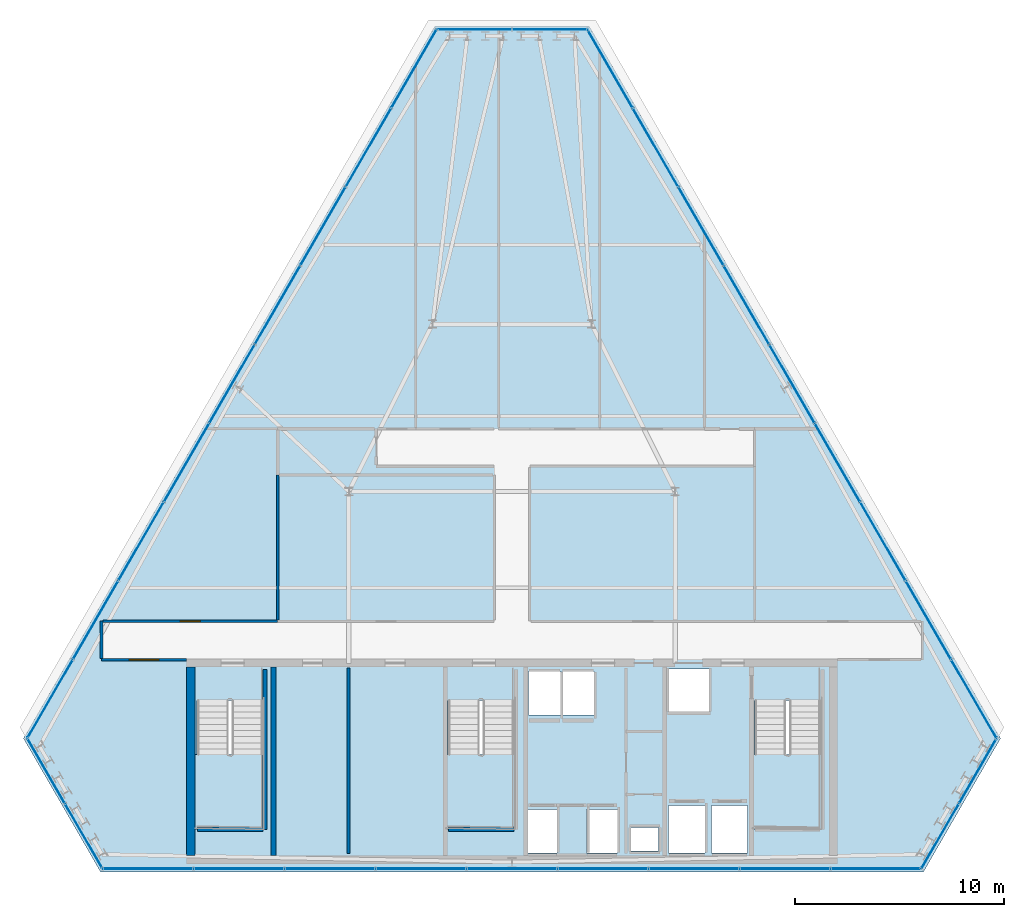
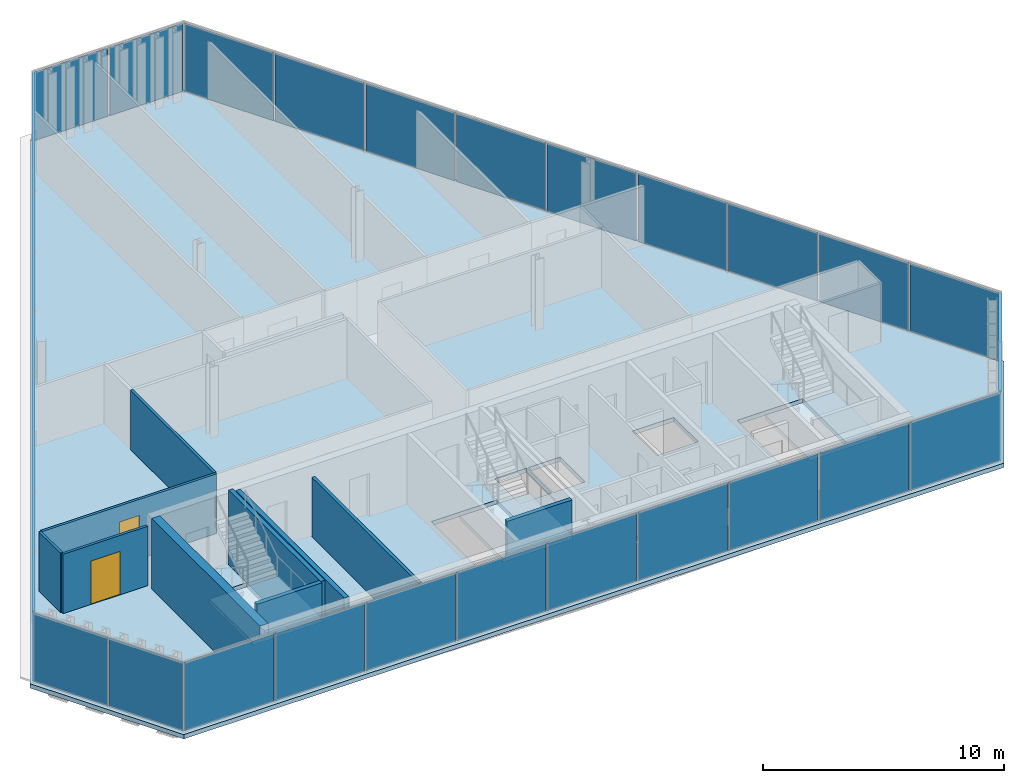
# One storey, part 23 of 29: 33 plates, 10 walls, 4 slabs, 2 doors, 2 openings, 9 elements without a shape of their own.
"""IFC4 building model written with IfcOpenShell, lengths in metres."""

from ifc_helpers import new_model, si_unit, direction, frame, frame_2d, origin, origin_2d, place, context, subcontext, project, spatial, polyline, rectangle, outline, extrude, material, layer, layer_set, type_object, element, fill, aggregate, save


model = new_model("IFC4")

# Units and contexts
model_context = context("Model", 3, precision=1e-05, world=origin(), true_north=direction((0.0, 1.0)))
body_context = subcontext(model_context, "Body", "Model", "MODEL_VIEW")
ifc_project = project(units=[si_unit("LENGTHUNIT", "METRE"), si_unit("AREAUNIT", "SQUARE_METRE"), si_unit("VOLUMEUNIT", "CUBIC_METRE"), si_unit("PLANEANGLEUNIT", "RADIAN"), si_unit("MASSUNIT", "GRAM", prefix="KILO")], contexts=[model_context])

# Site, building, storey
site_placement = place(None, origin())
site = spatial("IfcSite", under=ifc_project, at=site_placement, CompositionType="ELEMENT")
building_placement = place(site_placement, origin())
building = spatial("IfcBuilding", under=site, at=building_placement, Name="Ndaravel Arena Tower", CompositionType="ELEMENT")
storey_placement = place(building_placement, frame((0.0, 0.0, 229.39990234375)))
storey = spatial("IfcBuildingStorey", under=building, at=storey_placement, Name="L55", CompositionType="ELEMENT", Elevation=229.39990234375)

# Curtain wall, plate
ifc_material_1 = material(Name="Aluminium", Category="aluminium")
ifc_layer_1 = layer(ifc_material_1, 0.179931640625)
ifc_layer_set_1 = layer_set([ifc_layer_1], Name="Aluminium")
curtain_wall_type_1 = type_object("IfcCurtainWallType", Name="CW-SYS-01", PredefinedType="NOTDEFINED", material=ifc_layer_set_1)
curtain_wall_1_placement = place(storey_placement, origin())
curtain_wall_1 = element("IfcCurtainWall", 1, at=curtain_wall_1_placement, inside=storey, type_object=curtain_wall_type_1, Name="L55 Faceted Crystal Curtain Wall CW-L55-E02", PredefinedType="NOTDEFINED")
ifc_material_2 = material(Name="Glazing", Category="glass")
ifc_layer_2 = layer(ifc_material_2, 0.035888671875)
ifc_layer_set_2 = layer_set([ifc_layer_2], Name="Glazing")
plate_type_1 = type_object("IfcPlateType", Name="PLT-CW-OPVENT", PredefinedType="CURTAIN_PANEL", material=ifc_layer_set_2)
plate_1_placement = place(storey_placement, frame((64.268310546875, 9.836181640625, 0.06005859375), z_axis=(0.0, 0.0, 1.0), x_axis=(0.499984884929, 0.866034130299, 0.0)))
plate_1 = element("IfcPlate", 2, at=plate_1_placement, type_object=plate_type_1, Name="CW-L55-E02 Operable Vent Sash Panel 02", PredefinedType="CURTAIN_PANEL", context=body_context, shape_type="SweptSolid", body=[
    extrude(rectangle(XDim=3.519775390625, YDim=0.035888671875, at=origin_2d()), origin(), (0.0, 0.0, 1.0), 3.4599609375),
])

curtain_wall_2_placement = place(storey_placement, origin())
curtain_wall_2 = element("IfcCurtainWall", 3, at=curtain_wall_2_placement, inside=storey, type_object=curtain_wall_type_1, Name="L55 Faceted Crystal Curtain Wall CW-L55-E04", PredefinedType="NOTDEFINED")
plate_2_placement = place(storey_placement, frame((40.2001953125, 45.288818359375, 0.06005859375), z_axis=(0.0, 0.0, 1.0), x_axis=(-1.0, 0.0, 0.0)))
plate_2 = element("IfcPlate", 4, at=plate_2_placement, type_object=plate_type_1, Name="CW-L55-E04 Operable Vent Sash Panel 02", PredefinedType="CURTAIN_PANEL", context=body_context, shape_type="SweptSolid", body=[
    extrude(rectangle(XDim=3.519775390625, YDim=0.035888671875, at=origin_2d()), origin(), (0.0, 0.0, 1.0), 3.4599609375),
])

ifc_material_3 = material(Name="Aluminium", Category="aluminium")
ifc_layer_3 = layer(ifc_material_3, 0.179931640625)
ifc_layer_set_3 = layer_set([ifc_layer_3], Name="Aluminium")
curtain_wall_type_2 = type_object("IfcCurtainWallType", Name="CW-SYS-02", PredefinedType="NOTDEFINED", material=ifc_layer_set_3)
curtain_wall_3_placement = place(storey_placement, origin())
curtain_wall_3 = element("IfcCurtainWall", 5, at=curtain_wall_3_placement, inside=storey, type_object=curtain_wall_type_2, Name="L55 Faceted Crystal Curtain Wall CW-L55-E06", PredefinedType="NOTDEFINED")
plate_3_placement = place(storey_placement, frame((21.531494140625, 6.71875, 0.06005859375), z_axis=(0.0, 0.0, 1.0), x_axis=(0.499984884929, -0.866034130299, 0.0)))
plate_3 = element("IfcPlate", 6, at=plate_3_placement, type_object=plate_type_1, Name="CW-L55-E06 Operable Vent Sash Panel 02", PredefinedType="CURTAIN_PANEL", context=body_context, shape_type="SweptSolid", body=[
    extrude(rectangle(XDim=3.519775390625, YDim=0.035888671875, at=origin_2d()), origin(), (0.0, 0.0, 1.0), 3.4599609375),
])

# Plate
ifc_material_4 = material(Name="Glazing", Category="glass")
ifc_layer_4 = layer(ifc_material_4, 0.031982421875)
ifc_layer_set_4 = layer_set([ifc_layer_4], Name="Glazing")
plate_type_2 = type_object("IfcPlateType", Name="PLT-GLZ-FRIT35", PredefinedType="CURTAIN_PANEL", material=ifc_layer_set_4)
plate_4_placement = place(storey_placement, frame((62.468505859375, 6.71875, 0.06005859375), z_axis=(0.0, 0.0, 1.0), x_axis=(0.499984884929, 0.866034130299, 0.0)))
plate_4 = element("IfcPlate", 7, at=plate_4_placement, type_object=plate_type_2, Name="CW-L55-E02 Vision Glass Panel 01", PredefinedType="CURTAIN_PANEL", context=body_context, shape_type="SweptSolid", body=[
    extrude(rectangle(XDim=3.519775390625, YDim=0.035888671875, at=origin_2d()), origin(), (0.0, 0.0, 1.0), 3.4599609375),
])

aggregate(curtain_wall_1, [plate_4, plate_1])

plate_5_placement = place(storey_placement, frame((43.7998046875, 45.288818359375, 0.06005859375), z_axis=(0.0, 0.0, 1.0), x_axis=(-1.0, 0.0, 0.0)))
plate_5 = element("IfcPlate", 8, at=plate_5_placement, type_object=plate_type_2, Name="CW-L55-E04 Vision Glass Panel 01", PredefinedType="CURTAIN_PANEL", context=body_context, shape_type="SweptSolid", body=[
    extrude(rectangle(XDim=3.519775390625, YDim=0.035888671875, at=origin_2d()), origin(), (0.0, 0.0, 1.0), 3.4599609375),
])

aggregate(curtain_wall_2, [plate_5, plate_2])

ifc_material_5 = material(Name="Glazing", Category="glass")
ifc_layer_5 = layer(ifc_material_5, 0.035888671875)
ifc_layer_set_5 = layer_set([ifc_layer_5], Name="Glazing")
plate_type_3 = type_object("IfcPlateType", Name="PLT-GLZ-FRIT55", PredefinedType="CURTAIN_PANEL", material=ifc_layer_set_5)
plate_6_placement = place(storey_placement, frame((19.731689453125, 9.836181640625, 0.06005859375), z_axis=(0.0, 0.0, 1.0), x_axis=(0.499984884929, -0.866034130299, 0.0)))
plate_6 = element("IfcPlate", 9, at=plate_6_placement, type_object=plate_type_3, Name="CW-L55-E06 Vision Glass Panel 01", PredefinedType="CURTAIN_PANEL", context=body_context, shape_type="SweptSolid", body=[
    extrude(rectangle(XDim=3.519775390625, YDim=0.035888671875, at=origin_2d()), origin(), (0.0, 0.0, 1.0), 3.4599609375),
])

aggregate(curtain_wall_3, [plate_6, plate_3])

# Curtain wall, plates
ifc_material_6 = material(Name="Aluminium", Category="aluminium")
ifc_layer_6 = layer(ifc_material_6, 0.179931640625)
ifc_layer_set_6 = layer_set([ifc_layer_6], Name="Aluminium")
curtain_wall_type_3 = type_object("IfcCurtainWallType", Name="CW-SYS-03", PredefinedType="NOTDEFINED", material=ifc_layer_set_6)
curtain_wall_4_placement = place(storey_placement, origin())
curtain_wall_4 = element("IfcCurtainWall", 10, at=curtain_wall_4_placement, inside=storey, type_object=curtain_wall_type_3, Name="L55 Faceted Crystal Curtain Wall CW-L55-E01", PredefinedType="NOTDEFINED")
ifc_material_7 = material(Name="Glazing", Category="glass")
ifc_layer_7 = layer(ifc_material_7, 0.0400390625)
ifc_layer_set_7 = layer_set([ifc_layer_7], Name="Glazing")
plate_type_4 = type_object("IfcPlateType", Name="PLT-GLZ-LOWIRON", PredefinedType="CURTAIN_PANEL", material=ifc_layer_set_7)
plate_7_placement = place(storey_placement, frame((24.605712890625, 5.159912109375, 0.06005859375), z_axis=(0.0, 0.0, 1.0), x_axis=(1.0, 0.0, 0.0)))
plate_7 = element("IfcPlate", 11, at=plate_7_placement, type_object=plate_type_4, Name="CW-L55-E01 Vision Glass Panel 01", PredefinedType="CURTAIN_PANEL", context=body_context, shape_type="SweptSolid", body=[
    extrude(rectangle(XDim=4.2685546875, YDim=0.035888671875, at=origin_2d()), origin(), (0.0, 0.0, 1.0), 3.4599609375),
])
plate_8_placement = place(storey_placement, frame((28.9541015625, 5.159912109375, 0.06005859375), z_axis=(0.0, 0.0, 1.0), x_axis=(1.0, 0.0, 0.0)))
plate_8 = element("IfcPlate", 12, at=plate_8_placement, type_object=plate_type_4, Name="CW-L55-E01 Vision Glass Panel 02", PredefinedType="CURTAIN_PANEL", context=body_context, shape_type="SweptSolid", body=[
    extrude(rectangle(XDim=4.2685546875, YDim=0.035888671875, at=origin_2d()), origin(), (0.0, 0.0, 1.0), 3.4599609375),
])
plate_9_placement = place(storey_placement, frame((33.302734375, 5.159912109375, 0.06005859375), z_axis=(0.0, 0.0, 1.0), x_axis=(1.0, 0.0, 0.0)))
plate_9 = element("IfcPlate", 13, at=plate_9_placement, type_object=plate_type_4, Name="CW-L55-E01 Vision Glass Panel 03", PredefinedType="CURTAIN_PANEL", context=body_context, shape_type="SweptSolid", body=[
    extrude(rectangle(XDim=4.2685546875, YDim=0.035888671875, at=origin_2d()), origin(), (0.0, 0.0, 1.0), 3.4599609375),
])
plate_10_placement = place(storey_placement, frame((37.6513671875, 5.159912109375, 0.06005859375), z_axis=(0.0, 0.0, 1.0), x_axis=(1.0, 0.0, 0.0)))
plate_10 = element("IfcPlate", 14, at=plate_10_placement, type_object=plate_type_4, Name="CW-L55-E01 Vision Glass Panel 04", PredefinedType="CURTAIN_PANEL", context=body_context, shape_type="SweptSolid", body=[
    extrude(rectangle(XDim=4.2685546875, YDim=0.035888671875, at=origin_2d()), origin(), (0.0, 0.0, 1.0), 3.4599609375),
])
plate_11_placement = place(storey_placement, frame((42.0, 5.159912109375, 0.06005859375), z_axis=(0.0, 0.0, 1.0), x_axis=(1.0, 0.0, 0.0)))
plate_11 = element("IfcPlate", 15, at=plate_11_placement, type_object=plate_type_4, Name="CW-L55-E01 Vision Glass Panel 05", PredefinedType="CURTAIN_PANEL", context=body_context, shape_type="SweptSolid", body=[
    extrude(rectangle(XDim=4.2685546875, YDim=0.035888671875, at=origin_2d()), origin(), (0.0, 0.0, 1.0), 3.4599609375),
])
plate_12_placement = place(storey_placement, frame((46.3486328125, 5.159912109375, 0.06005859375), z_axis=(0.0, 0.0, 1.0), x_axis=(1.0, 0.0, 0.0)))
plate_12 = element("IfcPlate", 16, at=plate_12_placement, type_object=plate_type_4, Name="CW-L55-E01 Vision Glass Panel 06", PredefinedType="CURTAIN_PANEL", context=body_context, shape_type="SweptSolid", body=[
    extrude(rectangle(XDim=4.2685546875, YDim=0.035888671875, at=origin_2d()), origin(), (0.0, 0.0, 1.0), 3.4599609375),
])
plate_13_placement = place(storey_placement, frame((50.697265625, 5.159912109375, 0.06005859375), z_axis=(0.0, 0.0, 1.0), x_axis=(1.0, 0.0, 0.0)))
plate_13 = element("IfcPlate", 17, at=plate_13_placement, type_object=plate_type_4, Name="CW-L55-E01 Vision Glass Panel 07", PredefinedType="CURTAIN_PANEL", context=body_context, shape_type="SweptSolid", body=[
    extrude(rectangle(XDim=4.2685546875, YDim=0.035888671875, at=origin_2d()), origin(), (0.0, 0.0, 1.0), 3.4599609375),
])
plate_14_placement = place(storey_placement, frame((55.0458984375, 5.159912109375, 0.06005859375), z_axis=(0.0, 0.0, 1.0), x_axis=(1.0, 0.0, 0.0)))
plate_14 = element("IfcPlate", 18, at=plate_14_placement, type_object=plate_type_4, Name="CW-L55-E01 Vision Glass Panel 08", PredefinedType="CURTAIN_PANEL", context=body_context, shape_type="SweptSolid", body=[
    extrude(rectangle(XDim=4.2685546875, YDim=0.035888671875, at=origin_2d()), origin(), (0.0, 0.0, 1.0), 3.4599609375),
])
plate_15_placement = place(storey_placement, frame((59.394287109375, 5.159912109375, 0.06005859375), z_axis=(0.0, 0.0, 1.0), x_axis=(1.0, 0.0, 0.0)))
plate_15 = element("IfcPlate", 19, at=plate_15_placement, type_object=plate_type_4, Name="CW-L55-E01 Vision Glass Panel 09", PredefinedType="CURTAIN_PANEL", context=body_context, shape_type="SweptSolid", body=[
    extrude(rectangle(XDim=4.2685546875, YDim=0.035888671875, at=origin_2d()), origin(), (0.0, 0.0, 1.0), 3.4599609375),
])
aggregate(curtain_wall_4, [plate_7, plate_8, plate_9, plate_10, plate_11, plate_12, plate_13, plate_14, plate_15])

curtain_wall_5_placement = place(storey_placement, origin())
curtain_wall_5 = element("IfcCurtainWall", 20, at=curtain_wall_5_placement, inside=storey, type_object=curtain_wall_type_3, Name="L55 Faceted Crystal Curtain Wall CW-L55-E03", PredefinedType="NOTDEFINED")
plate_16_placement = place(storey_placement, frame((64.081298828125, 13.27783203125, 0.06005859375), z_axis=(0.0, 0.0, 1.0), x_axis=(-0.5, 0.866025403784, 0.0)))
plate_16 = element("IfcPlate", 21, at=plate_16_placement, type_object=plate_type_4, Name="CW-L55-E03 Vision Glass Panel 01", PredefinedType="CURTAIN_PANEL", context=body_context, shape_type="SweptSolid", body=[
    extrude(rectangle(XDim=4.2685546875, YDim=0.035888671875, at=origin_2d()), origin(), (0.0, 0.0, 1.0), 3.4599609375),
])
plate_17_placement = place(storey_placement, frame((61.906982421875, 17.0439453125, 0.06005859375), z_axis=(0.0, 0.0, 1.0), x_axis=(-0.5, 0.866025403784, 0.0)))
plate_17 = element("IfcPlate", 22, at=plate_17_placement, type_object=plate_type_4, Name="CW-L55-E03 Vision Glass Panel 02", PredefinedType="CURTAIN_PANEL", context=body_context, shape_type="SweptSolid", body=[
    extrude(rectangle(XDim=4.2685546875, YDim=0.035888671875, at=origin_2d()), origin(), (0.0, 0.0, 1.0), 3.4599609375),
])
plate_18_placement = place(storey_placement, frame((59.732666015625, 20.809814453125, 0.06005859375), z_axis=(0.0, 0.0, 1.0), x_axis=(-0.5, 0.866025403784, 0.0)))
plate_18 = element("IfcPlate", 23, at=plate_18_placement, type_object=plate_type_4, Name="CW-L55-E03 Vision Glass Panel 03", PredefinedType="CURTAIN_PANEL", context=body_context, shape_type="SweptSolid", body=[
    extrude(rectangle(XDim=4.2685546875, YDim=0.035888671875, at=origin_2d()), origin(), (0.0, 0.0, 1.0), 3.4599609375),
])
plate_19_placement = place(storey_placement, frame((57.558349609375, 24.575927734375, 0.06005859375), z_axis=(0.0, 0.0, 1.0), x_axis=(-0.5, 0.866025403784, 0.0)))
plate_19 = element("IfcPlate", 24, at=plate_19_placement, type_object=plate_type_4, Name="CW-L55-E03 Vision Glass Panel 04", PredefinedType="CURTAIN_PANEL", context=body_context, shape_type="SweptSolid", body=[
    extrude(rectangle(XDim=4.2685546875, YDim=0.035888671875, at=origin_2d()), origin(), (0.0, 0.0, 1.0), 3.4599609375),
])
plate_20_placement = place(storey_placement, frame((55.384033203125, 28.341796875, 0.06005859375), z_axis=(0.0, 0.0, 1.0), x_axis=(-0.5, 0.866025403784, 0.0)))
plate_20 = element("IfcPlate", 25, at=plate_20_placement, type_object=plate_type_4, Name="CW-L55-E03 Vision Glass Panel 05", PredefinedType="CURTAIN_PANEL", context=body_context, shape_type="SweptSolid", body=[
    extrude(rectangle(XDim=4.2685546875, YDim=0.035888671875, at=origin_2d()), origin(), (0.0, 0.0, 1.0), 3.4599609375),
])
plate_21_placement = place(storey_placement, frame((53.209716796875, 32.10791015625, 0.06005859375), z_axis=(0.0, 0.0, 1.0), x_axis=(-0.5, 0.866025403784, 0.0)))
plate_21 = element("IfcPlate", 26, at=plate_21_placement, type_object=plate_type_4, Name="CW-L55-E03 Vision Glass Panel 06", PredefinedType="CURTAIN_PANEL", context=body_context, shape_type="SweptSolid", body=[
    extrude(rectangle(XDim=4.2685546875, YDim=0.035888671875, at=origin_2d()), origin(), (0.0, 0.0, 1.0), 3.4599609375),
])
plate_22_placement = place(storey_placement, frame((51.035400390625, 35.873779296875, 0.06005859375), z_axis=(0.0, 0.0, 1.0), x_axis=(-0.5, 0.866025403784, 0.0)))
plate_22 = element("IfcPlate", 27, at=plate_22_placement, type_object=plate_type_4, Name="CW-L55-E03 Vision Glass Panel 07", PredefinedType="CURTAIN_PANEL", context=body_context, shape_type="SweptSolid", body=[
    extrude(rectangle(XDim=4.2685546875, YDim=0.035888671875, at=origin_2d()), origin(), (0.0, 0.0, 1.0), 3.4599609375),
])
plate_23_placement = place(storey_placement, frame((48.861083984375, 39.639892578125, 0.06005859375), z_axis=(0.0, 0.0, 1.0), x_axis=(-0.5, 0.866025403784, 0.0)))
plate_23 = element("IfcPlate", 28, at=plate_23_placement, type_object=plate_type_4, Name="CW-L55-E03 Vision Glass Panel 08", PredefinedType="CURTAIN_PANEL", context=body_context, shape_type="SweptSolid", body=[
    extrude(rectangle(XDim=4.2685546875, YDim=0.035888671875, at=origin_2d()), origin(), (0.0, 0.0, 1.0), 3.4599609375),
])
plate_24_placement = place(storey_placement, frame((46.686767578125, 43.406005859375, 0.06005859375), z_axis=(0.0, 0.0, 1.0), x_axis=(-0.5, 0.866025403784, 0.0)))
plate_24 = element("IfcPlate", 29, at=plate_24_placement, type_object=plate_type_4, Name="CW-L55-E03 Vision Glass Panel 09", PredefinedType="CURTAIN_PANEL", context=body_context, shape_type="SweptSolid", body=[
    extrude(rectangle(XDim=4.2685546875, YDim=0.035888671875, at=origin_2d()), origin(), (0.0, 0.0, 1.0), 3.4599609375),
])
aggregate(curtain_wall_5, [plate_16, plate_17, plate_18, plate_19, plate_20, plate_21, plate_22, plate_23, plate_24])

curtain_wall_6_placement = place(storey_placement, origin())
curtain_wall_6 = element("IfcCurtainWall", 30, at=curtain_wall_6_placement, inside=storey, type_object=curtain_wall_type_3, Name="L55 Faceted Crystal Curtain Wall CW-L55-E05", PredefinedType="NOTDEFINED")
plate_25_placement = place(storey_placement, frame((37.313232421875, 43.406005859375, 0.06005859375), z_axis=(0.0, 0.0, 1.0), x_axis=(-0.5, -0.866025403784, 0.0)))
plate_25 = element("IfcPlate", 31, at=plate_25_placement, type_object=plate_type_4, Name="CW-L55-E05 Vision Glass Panel 01", PredefinedType="CURTAIN_PANEL", context=body_context, shape_type="SweptSolid", body=[
    extrude(rectangle(XDim=4.2685546875, YDim=0.035888671875, at=origin_2d()), origin(), (0.0, 0.0, 1.0), 3.4599609375),
])
plate_26_placement = place(storey_placement, frame((35.138916015625, 39.639892578125, 0.06005859375), z_axis=(0.0, 0.0, 1.0), x_axis=(-0.5, -0.866025403784, 0.0)))
plate_26 = element("IfcPlate", 32, at=plate_26_placement, type_object=plate_type_4, Name="CW-L55-E05 Vision Glass Panel 02", PredefinedType="CURTAIN_PANEL", context=body_context, shape_type="SweptSolid", body=[
    extrude(rectangle(XDim=4.2685546875, YDim=0.035888671875, at=origin_2d()), origin(), (0.0, 0.0, 1.0), 3.4599609375),
])
plate_27_placement = place(storey_placement, frame((32.964599609375, 35.873779296875, 0.06005859375), z_axis=(0.0, 0.0, 1.0), x_axis=(-0.5, -0.866025403784, 0.0)))
plate_27 = element("IfcPlate", 33, at=plate_27_placement, type_object=plate_type_4, Name="CW-L55-E05 Vision Glass Panel 03", PredefinedType="CURTAIN_PANEL", context=body_context, shape_type="SweptSolid", body=[
    extrude(rectangle(XDim=4.2685546875, YDim=0.035888671875, at=origin_2d()), origin(), (0.0, 0.0, 1.0), 3.4599609375),
])
plate_28_placement = place(storey_placement, frame((30.790283203125, 32.10791015625, 0.06005859375), z_axis=(0.0, 0.0, 1.0), x_axis=(-0.5, -0.866025403784, 0.0)))
plate_28 = element("IfcPlate", 34, at=plate_28_placement, type_object=plate_type_4, Name="CW-L55-E05 Vision Glass Panel 04", PredefinedType="CURTAIN_PANEL", context=body_context, shape_type="SweptSolid", body=[
    extrude(rectangle(XDim=4.2685546875, YDim=0.035888671875, at=origin_2d()), origin(), (0.0, 0.0, 1.0), 3.4599609375),
])
plate_29_placement = place(storey_placement, frame((28.615966796875, 28.341796875, 0.06005859375), z_axis=(0.0, 0.0, 1.0), x_axis=(-0.5, -0.866025403784, 0.0)))
plate_29 = element("IfcPlate", 35, at=plate_29_placement, type_object=plate_type_4, Name="CW-L55-E05 Vision Glass Panel 05", PredefinedType="CURTAIN_PANEL", context=body_context, shape_type="SweptSolid", body=[
    extrude(rectangle(XDim=4.2685546875, YDim=0.035888671875, at=origin_2d()), origin(), (0.0, 0.0, 1.0), 3.4599609375),
])
plate_30_placement = place(storey_placement, frame((26.441650390625, 24.575927734375, 0.06005859375), z_axis=(0.0, 0.0, 1.0), x_axis=(-0.5, -0.866025403784, 0.0)))
plate_30 = element("IfcPlate", 36, at=plate_30_placement, type_object=plate_type_4, Name="CW-L55-E05 Vision Glass Panel 06", PredefinedType="CURTAIN_PANEL", context=body_context, shape_type="SweptSolid", body=[
    extrude(rectangle(XDim=4.2685546875, YDim=0.035888671875, at=origin_2d()), origin(), (0.0, 0.0, 1.0), 3.4599609375),
])
plate_31_placement = place(storey_placement, frame((24.267333984375, 20.809814453125, 0.06005859375), z_axis=(0.0, 0.0, 1.0), x_axis=(-0.5, -0.866025403784, 0.0)))
plate_31 = element("IfcPlate", 37, at=plate_31_placement, type_object=plate_type_4, Name="CW-L55-E05 Vision Glass Panel 07", PredefinedType="CURTAIN_PANEL", context=body_context, shape_type="SweptSolid", body=[
    extrude(rectangle(XDim=4.2685546875, YDim=0.035888671875, at=origin_2d()), origin(), (0.0, 0.0, 1.0), 3.4599609375),
])
plate_32_placement = place(storey_placement, frame((22.093017578125, 17.0439453125, 0.06005859375), z_axis=(0.0, 0.0, 1.0), x_axis=(-0.5, -0.866025403784, 0.0)))
plate_32 = element("IfcPlate", 38, at=plate_32_placement, type_object=plate_type_4, Name="CW-L55-E05 Vision Glass Panel 08", PredefinedType="CURTAIN_PANEL", context=body_context, shape_type="SweptSolid", body=[
    extrude(rectangle(XDim=4.2685546875, YDim=0.035888671875, at=origin_2d()), origin(), (0.0, 0.0, 1.0), 3.4599609375),
])
plate_33_placement = place(storey_placement, frame((19.918701171875, 13.27783203125, 0.06005859375), z_axis=(0.0, 0.0, 1.0), x_axis=(-0.5, -0.866025403784, 0.0)))
plate_33 = element("IfcPlate", 39, at=plate_33_placement, type_object=plate_type_4, Name="CW-L55-E05 Vision Glass Panel 09", PredefinedType="CURTAIN_PANEL", context=body_context, shape_type="SweptSolid", body=[
    extrude(rectangle(XDim=4.2685546875, YDim=0.035888671875, at=origin_2d()), origin(), (0.0, 0.0, 1.0), 3.4599609375),
])
aggregate(curtain_wall_6, [plate_25, plate_26, plate_27, plate_28, plate_29, plate_30, plate_31, plate_32, plate_33])

# Stair, slab
ifc_material_8 = material(Name="Concrete C40/50", Category="concrete")
stair_type = type_object("IfcStairType", Name="STAIR-CORE-HT", PredefinedType="HALF_TURN_STAIR", material=ifc_material_8)
stair_1_placement = place(storey_placement, origin())
stair_1 = element("IfcStair", 40, at=stair_1_placement, inside=storey, type_object=stair_type, Name="L55 ST-1", PredefinedType="HALF_TURN_STAIR")
ifc_material_9 = material(Name="Concrete C40/50", Category="concrete")
ifc_layer_8 = layer(ifc_material_9, 0.199951171875)
ifc_layer_set_8 = layer_set([ifc_layer_8], Name="Concrete C40/50")
slab_type_1 = type_object("IfcSlabType", Name="SLAB-STAIR-LANDING", PredefinedType="LANDING", material=ifc_layer_set_8)
slab_1_placement = place(storey_placement, frame((0.0, 0.0, 1.7001953125)))
slab_1 = element("IfcSlab", 41, at=slab_1_placement, type_object=slab_type_1, Name="ST-1 landing 1", PredefinedType="LANDING", context=body_context, shape_type="SweptSolid", body=[
    extrude(outline(polyline([(26.81005859375, 10.6298828125), (26.81005859375, 7.070068359375), (30.169921875, 7.070068359375), (30.169921875, 10.6298828125), (26.81005859375, 10.6298828125)])), origin(), (0.0, 0.0, 1.0), 0.199951171875),
])
aggregate(stair_1, [slab_1])

stair_2_placement = place(storey_placement, origin())
stair_2 = element("IfcStair", 42, at=stair_2_placement, inside=storey, type_object=stair_type, Name="L55 ST-2", PredefinedType="HALF_TURN_STAIR")
slab_2_placement = place(storey_placement, frame((0.0, 0.0, 1.7001953125)))
slab_2 = element("IfcSlab", 43, at=slab_2_placement, type_object=slab_type_1, Name="ST-2 landing 1", PredefinedType="LANDING", context=body_context, shape_type="SweptSolid", body=[
    extrude(outline(polyline([(38.81005859375, 10.6298828125), (38.81005859375, 7.070068359375), (42.169921875, 7.070068359375), (42.169921875, 10.6298828125), (38.81005859375, 10.6298828125)])), origin(), (0.0, 0.0, 1.0), 0.199951171875),
])
aggregate(stair_2, [slab_2])

stair_3_placement = place(storey_placement, origin())
stair_3 = element("IfcStair", 44, at=stair_3_placement, inside=storey, type_object=stair_type, Name="L55 ST-3", PredefinedType="HALF_TURN_STAIR")
slab_3_placement = place(storey_placement, frame((0.0, 0.0, 1.7001953125)))
slab_3 = element("IfcSlab", 45, at=slab_3_placement, type_object=slab_type_1, Name="ST-3 landing 1", PredefinedType="LANDING", context=body_context, shape_type="SweptSolid", body=[
    extrude(outline(polyline([(53.4599609375, 10.6298828125), (53.4599609375, 7.070068359375), (56.820068359375, 7.070068359375), (56.820068359375, 10.6298828125), (53.4599609375, 10.6298828125)])), origin(), (0.0, 0.0, 1.0), 0.199951171875),
])
aggregate(stair_3, [slab_3])

# Slab
ifc_material_10 = material(Name="Concrete C40/50", Category="concrete")
ifc_layer_9 = layer(ifc_material_10, 0.219970703125)
ifc_layer_set_9 = layer_set([ifc_layer_9], Name="Concrete C40/50")
slab_type_2 = type_object("IfcSlabType", Name="SLAB-TWR-220", PredefinedType="FLOOR", material=ifc_layer_set_9)
slab_4_placement = place(storey_placement, frame((0.0, 0.0, -0.219970703125)))
element("IfcSlab", 46, at=slab_4_placement, inside=storey, type_object=slab_type_2, Name="L55 Structural Floor Slab", PredefinedType="FLOOR", context=body_context, shape_type="SweptSolid", body=[
    extrude(outline(polyline([(18.64697265625, 11.39501953125), (22.3388671875, 5.0), (61.6611328125, 5.0), (65.35302734375, 11.39501953125), (45.692138671875, 45.448974609375), (38.307861328125, 45.448974609375), (18.64697265625, 11.39501953125)]), holes=[polyline([(26.949951171875, 13.215087890625), (26.949951171875, 7.14990234375), (30.090087890625, 7.14990234375), (30.090087890625, 13.215087890625), (26.949951171875, 13.215087890625)]), polyline([(38.949951171875, 13.215087890625), (38.949951171875, 7.14990234375), (42.090087890625, 7.14990234375), (42.090087890625, 13.215087890625), (38.949951171875, 13.215087890625)]), polyline([(53.60009765625, 13.215087890625), (53.60009765625, 7.14990234375), (56.739990234375, 7.14990234375), (56.739990234375, 13.215087890625), (53.60009765625, 13.215087890625)]), polyline([(42.659912109375, 5.909912109375), (44.139892578125, 5.909912109375), (44.139892578125, 7.989990234375), (42.659912109375, 7.989990234375), (42.659912109375, 5.909912109375)]), polyline([(45.56005859375, 5.909912109375), (47.0400390625, 5.909912109375), (47.0400390625, 7.989990234375), (45.56005859375, 7.989990234375), (45.56005859375, 5.909912109375)]), polyline([(42.784912109375, 12.510009765625), (44.31494140625, 12.510009765625), (44.31494140625, 14.590087890625), (42.784912109375, 14.590087890625), (42.784912109375, 12.510009765625)]), polyline([(44.385009765625, 12.510009765625), (45.9150390625, 12.510009765625), (45.9150390625, 14.590087890625), (44.385009765625, 14.590087890625), (44.385009765625, 12.510009765625)]), polyline([(49.485107421875, 5.909912109375), (51.215087890625, 5.909912109375), (51.215087890625, 8.18994140625), (49.485107421875, 8.18994140625), (49.485107421875, 5.909912109375)]), polyline([(51.534912109375, 5.909912109375), (53.264892578125, 5.909912109375), (53.264892578125, 8.18994140625), (51.534912109375, 8.18994140625), (51.534912109375, 5.909912109375)]), polyline([(49.4599609375, 12.68505859375), (51.43994140625, 12.68505859375), (51.43994140625, 14.715087890625), (49.4599609375, 14.715087890625), (49.4599609375, 12.68505859375)]), polyline([(47.699951171875, 6.0), (49.0, 6.0), (49.0, 7.139892578125), (47.699951171875, 7.139892578125), (47.699951171875, 6.0)])]), origin(), (0.0, 0.0, 1.0), 0.219970703125),
])

# Walls
ifc_material_11 = material(Name="Gypsum", Category="gypsum")
ifc_layer_10 = layer(ifc_material_11, 0.14990234375)
ifc_layer_set_10 = layer_set([ifc_layer_10], Name="Gypsum")
wall_type_1 = type_object("IfcWallType", Name="WALL-COMP-150", PredefinedType="PARTITIONING", material=ifc_layer_set_10)
wall_1_placement = place(storey_placement, frame((34.179931640625, 5.89990234375, 0.0), z_axis=(0.0, 0.0, 1.0), x_axis=(0.0, 1.0, 0.0)))
element("IfcWall", 47, at=wall_1_placement, inside=storey, type_object=wall_type_1, Name="L55 High-Zone Core Divider 1", PredefinedType="PARTITIONING", context=body_context, shape_type="SweptSolid", body=[
    extrude(rectangle(XDim=8.85009765625, YDim=0.14990234375, at=frame_2d((4.425048828125, 0.0))), origin(), (0.0, 0.0, 1.0), 3.010498046875),
])
ifc_material_12 = material(Name="Concrete C50/60", Category="concrete")
ifc_layer_11 = layer(ifc_material_12, 0.219970703125)
ifc_layer_set_11 = layer_set([ifc_layer_11], Name="Concrete C50/60")
wall_type_2 = type_object("IfcWallType", Name="WALL-CORE-220", PredefinedType="SOLIDWALL", material=ifc_layer_set_11)
wall_2_placement = place(storey_placement, frame((30.60009765625, 5.800048828125, 0.0), z_axis=(0.0, 0.0, 1.0), x_axis=(0.0, 1.0, 0.0)))
element("IfcWall", 48, at=wall_2_placement, inside=storey, type_object=wall_type_2, Name="L55 Core Web Shear Wall 1", PredefinedType="SOLIDWALL", context=body_context, shape_type="SweptSolid", body=[
    extrude(rectangle(XDim=9.0, YDim=0.219970703125, at=frame_2d((4.5, 0.0))), origin(), (0.0, 0.0, 1.0), 3.580078125),
])
ifc_material_13 = material(Name="Concrete C50/60", Category="concrete")
ifc_layer_12 = layer(ifc_material_13, 0.39990234375)
ifc_layer_set_12 = layer_set([ifc_layer_12], Name="Concrete C50/60")
wall_type_3 = type_object("IfcWallType", Name="WALL-CORE-400", PredefinedType="SOLIDWALL", material=ifc_layer_set_12)
wall_3_placement = place(storey_placement, frame((26.64990234375, 5.800048828125, 0.0), z_axis=(0.0, 0.0, 1.0), x_axis=(0.0, 1.0, 0.0)))
element("IfcWall", 49, at=wall_3_placement, inside=storey, type_object=wall_type_3, Name="L55 Core West Shear Wall", PredefinedType="SOLIDWALL", context=body_context, shape_type="SweptSolid", body=[
    extrude(rectangle(XDim=9.0, YDim=0.39990234375, at=frame_2d((4.5, 0.0))), origin(), (0.0, 0.0, 1.0), 3.580078125),
])

# Wall, opening, door
ifc_material_14 = material(Name="Gypsum", Category="gypsum")
ifc_layer_13 = layer(ifc_material_14, 0.125)
ifc_layer_set_13 = layer_set([ifc_layer_13], Name="Gypsum")
wall_type_4 = type_object("IfcWallType", Name="WALL-PART-125", PredefinedType="PARTITIONING", material=ifc_layer_set_13)
wall_4_placement = place(storey_placement, frame((26.449951171875, 15.14990234375, 0.0), z_axis=(0.0, 0.0, 1.0), x_axis=(-1.0, 0.0, 0.0)))
wall_4 = element("IfcWall", 50, at=wall_4_placement, inside=storey, type_object=wall_type_4, Name="L55 Interior Partition 003", PredefinedType="PARTITIONING", context=body_context, shape_type="SweptSolid", body=[
    extrude(rectangle(XDim=4.072021484375, YDim=0.125, at=frame_2d((2.0361328125, 0.0))), origin(), (0.0, 0.0, 1.0), 3.010498046875),
])
opening_1_placement = place(wall_4_placement, frame((1.3359375, 0.0, 0.0)))
opening_1 = element("IfcOpeningElement", 51, at=opening_1_placement, cuts=wall_4, Name="Opening ID-02", PredefinedType="OPENING", context=body_context, shape_type="SweptSolid", body=[
    extrude(rectangle(XDim=1.39990234375, YDim=2.199951171875, at=frame_2d((0.699951171875, 1.10009765625))), frame((0.0, 0.0625, 0.0), z_axis=(0.0, -1.0, 0.0), x_axis=(1.0, 0.0, 0.0)), (0.0, 0.0, 1.0), 0.125),
])
ifc_material_15 = material(Name="Timber", Category="wood")
door_type_1 = type_object("IfcDoorType", Name="DT-04-SUITE-1400", OperationType="DOUBLE_DOOR_SINGLE_SWING", PredefinedType="DOOR", material=ifc_material_15)
door_1_placement = place(opening_1_placement, origin())
door_1 = element("IfcDoor", 52, at=door_1_placement, inside=storey, type_object=door_type_1, Name="L55 Collaborative Lounge Door", OperationType="SINGLE_SWING_RIGHT", OverallHeight=2.199951171875, OverallWidth=1.39990234375, PredefinedType="DOOR", context=body_context, shape_type="SweptSolid", body=[
    extrude(rectangle(XDim=1.39990234375, YDim=2.199951171875, at=frame_2d((0.699951171875, 1.10009765625))), frame((0.0, 0.02490234375, 0.0), z_axis=(0.0, -1.0, 0.0), x_axis=(1.0, 0.0, 0.0)), (0.0, 0.0, 1.0), 0.050048828125),
])
fill(opening_1, door_1)

# Wall
wall_5_placement = place(storey_placement, frame((22.3779296875, 15.215087890625, 0.0), z_axis=(0.0, 0.0, 1.0), x_axis=(0.0, 1.0, 0.0)))
element("IfcWall", 53, at=wall_5_placement, inside=storey, type_object=wall_type_4, Name="L55 Interior Partition 004", PredefinedType="PARTITIONING", context=body_context, shape_type="SweptSolid", body=[
    extrude(rectangle(XDim=1.784912109375, YDim=0.125, at=frame_2d((0.892578125, 0.0))), origin(), (0.0, 0.0, 1.0), 3.010498046875),
])

# Wall, opening, door
wall_6_placement = place(storey_placement, frame((22.443115234375, 17.0, 0.0), z_axis=(0.0, 0.0, 1.0), x_axis=(1.0, 0.0, 0.0)))
wall_6 = element("IfcWall", 54, at=wall_6_placement, inside=storey, type_object=wall_type_4, Name="L55 Interior Partition 005", PredefinedType="PARTITIONING", context=body_context, shape_type="SweptSolid", body=[
    extrude(rectangle(XDim=8.35693359375, YDim=0.125, at=frame_2d((4.178466796875, 0.0))), origin(), (0.0, 0.0, 1.0), 3.010498046875),
])
opening_2_placement = place(wall_6_placement, frame((3.70361328125, 0.0, 0.0)))
opening_2 = element("IfcOpeningElement", 55, at=opening_2_placement, cuts=wall_6, Name="Opening ID-01", PredefinedType="OPENING", context=body_context, shape_type="SweptSolid", body=[
    extrude(rectangle(XDim=0.949951171875, YDim=2.199951171875, at=frame_2d((0.47509765625, 1.10009765625))), frame((0.0, 0.0625, 0.0), z_axis=(0.0, -1.0, 0.0), x_axis=(1.0, 0.0, 0.0)), (0.0, 0.0, 1.0), 0.125),
])
ifc_material_16 = material(Name="Timber", Category="wood")
door_type_2 = type_object("IfcDoorType", Name="DT-03-OFFICE-950", OperationType="SINGLE_SWING_LEFT", PredefinedType="DOOR", material=ifc_material_16)
door_2_placement = place(opening_2_placement, origin())
door_2 = element("IfcDoor", 56, at=door_2_placement, inside=storey, type_object=door_type_2, Name="L55 Quiet Study Room 3 Door", OperationType="SINGLE_SWING_LEFT", OverallHeight=2.199951171875, OverallWidth=0.949951171875, PredefinedType="DOOR", context=body_context, shape_type="SweptSolid", body=[
    extrude(rectangle(XDim=0.949951171875, YDim=2.199951171875, at=frame_2d((0.47509765625, 1.10009765625))), frame((0.0, 0.02490234375, 0.0), z_axis=(0.0, -1.0, 0.0), x_axis=(1.0, 0.0, 0.0)), (0.0, 0.0, 1.0), 0.050048828125),
])
fill(opening_2, door_2)

# Walls
wall_7_placement = place(storey_placement, frame((30.800048828125, 17.06494140625, 0.0), z_axis=(0.0, 0.0, 1.0), x_axis=(0.0, 1.0, 0.0)))
element("IfcWall", 57, at=wall_7_placement, inside=storey, type_object=wall_type_4, Name="L55 Interior Partition 021", PredefinedType="PARTITIONING", context=body_context, shape_type="SweptSolid", body=[
    extrude(rectangle(XDim=6.927001953125, YDim=0.125, at=frame_2d((3.46337890625, 0.0))), origin(), (0.0, 0.0, 1.0), 3.010498046875),
])
ifc_material_17 = material(Name="Concrete C40/50", Category="concrete")
ifc_layer_14 = layer(ifc_material_17, 0.199951171875)
ifc_layer_set_14 = layer_set([ifc_layer_14], Name="Concrete C40/50")
wall_type_5 = type_object("IfcWallType", Name="WALL-SHAFT-200", PredefinedType="SOLIDWALL", material=ifc_layer_set_14)
wall_8_placement = place(storey_placement, frame((30.18994140625, 14.699951171875, 0.0), z_axis=(0.0, 0.0, 1.0), x_axis=(0.0, -1.0, 0.0)))
element("IfcWall", 58, at=wall_8_placement, inside=storey, type_object=wall_type_5, Name="L55 ST-1 Structural Shaft Wall Right", PredefinedType="SOLIDWALL", context=body_context, shape_type="SweptSolid", body=[
    extrude(rectangle(XDim=7.64990234375, YDim=0.199951171875, at=frame_2d((3.824951171875, 0.0))), origin(), (0.0, 0.0, 1.0), 3.800048828125),
])
for number, where, z_axis, x_axis, name in (
    (59, (26.969970703125, 7.050048828125, 0.0), (0.0, 0.0, 1.0), (1.0, 0.0, 0.0), "L55 ST-1 Structural Shaft Wall Far"),
    (60, (38.969970703125, 7.050048828125, 0.0), (0.0, 0.0, 1.0), (1.0, 0.0, 0.0), "L55 ST-2 Structural Shaft Wall Far"),
):
    element("IfcWall", number, at=place(storey_placement, frame(where, z_axis=z_axis, x_axis=x_axis)), inside=storey, type_object=wall_type_5, Name=name, PredefinedType="SOLIDWALL", context=body_context, shape_type="SweptSolid", body=[
        extrude(rectangle(XDim=3.114990234375, YDim=0.199951171875, at=frame_2d((1.5576171875, 0.0))), origin(), (0.0, 0.0, 1.0), 3.800048828125),
    ])

save(model, "model.ifc")
